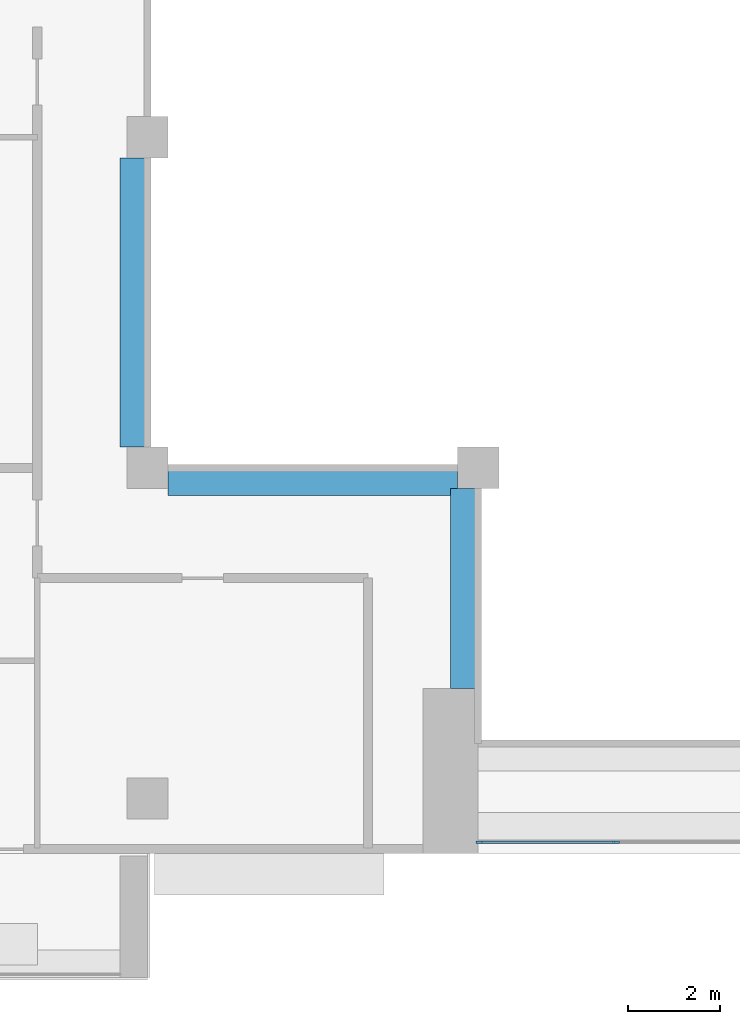
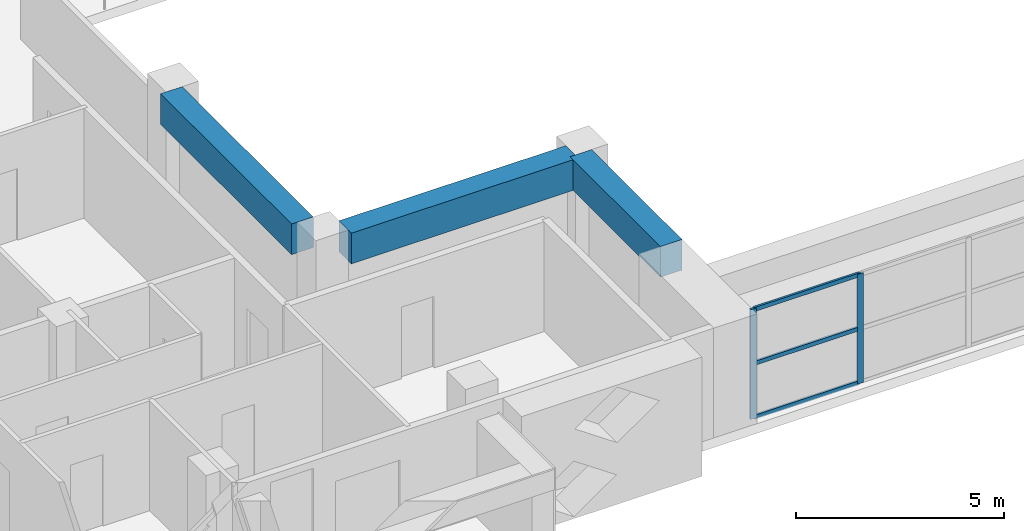
# One storey, part 2 of 19: 5 members, 3 beams, 1 element without a shape of its own.
"""IFC4 building model written with IfcOpenShell, lengths in metres."""

from ifc_helpers import new_model, si_unit, direction, frame, origin, origin_2d, place, context, subcontext, project, spatial, rectangle, extrude, source, transform, mapped, material, layer, layer_set, material_profile, profile_set, type_object, element, aggregate, save


model = new_model("IFC4")

# Units and contexts
model_context = context("Model", 3, precision=1e-05, world=origin(), true_north=direction((0.0, 1.0)))
body_context = subcontext(model_context, "Body", "Model", "MODEL_VIEW")
ifc_project = project(units=[si_unit("LENGTHUNIT", "METRE"), si_unit("AREAUNIT", "SQUARE_METRE"), si_unit("VOLUMEUNIT", "CUBIC_METRE"), si_unit("PLANEANGLEUNIT", "RADIAN"), si_unit("MASSUNIT", "GRAM", prefix="KILO")], contexts=[model_context])

# Site, building, storey
site_placement = place(None, origin())
site = spatial("IfcSite", under=ifc_project, at=site_placement, CompositionType="ELEMENT")
building_placement = place(site_placement, origin())
building = spatial("IfcBuilding", under=site, at=building_placement, Name="Saffron Iwan Residences", CompositionType="ELEMENT")
storey_placement = place(building_placement, frame((0.0, 0.0, 222.0)))
storey = spatial("IfcBuildingStorey", under=building, at=storey_placement, Name="L59", CompositionType="ELEMENT", Elevation=222.0)

# Beams
ifc_material_1 = material(Name="Concrete C40/50", Category="concrete")
ifc_material_profile_1 = material_profile(ifc_material_1, rectangle(XDim=0.60009765625, YDim=0.89990234375, at=origin_2d()), Name="RC 600x900")
ifc_profile_set_1 = profile_set([ifc_material_profile_1], Name="Concrete C40/50")
beam_type = type_object("IfcBeamType", Name="BEAM RC 600x900 C40/50 TOP 3220", PredefinedType="BEAM", material=ifc_profile_set_1)
shared_shape_1 = source(origin(), body_context, "Body", "SweptSolid", [
    extrude(rectangle(XDim=0.60009765625, YDim=0.89990234375, at=origin_2d()), origin(), (0.0, 0.0, 1.0), 4.35009765625),
])
beam_placement = place(storey_placement, frame((42.89990234375, 43.199951171875, 2.77001953125), z_axis=(0.0, 1.0, 0.0), x_axis=(-1.0, 0.0, 0.0)))
element("IfcBeam", 1, at=beam_placement, inside=storey, type_object=beam_type, Name="Atrium edge beam", PredefinedType="BEAM", context=body_context, shape_type="MappedRepresentation", body=[
    mapped(shared_shape_1, transform((0.0, 0.0, 0.0))),
])
shared_shape_2 = source(origin(), body_context, "Body", "SweptSolid", [
    extrude(rectangle(XDim=0.60009765625, YDim=0.89990234375, at=origin_2d()), origin(), (0.0, 0.0, 1.0), 6.300048828125),
])
for number, where, z_axis, x_axis, name in (
    (2, (42.75, 47.699951171875, 2.77001953125), (-1.0, 0.0, 0.0), (0.0, -1.0, 0.0), "Atrium edge beam"),
    (3, (35.699951171875, 48.449951171875, 2.77001953125), (0.0, 1.0, 0.0), (-1.0, 0.0, 0.0), "Atrium edge beam"),
):
    element("IfcBeam", number, at=place(storey_placement, frame(where, z_axis=z_axis, x_axis=x_axis)), inside=storey, type_object=beam_type, Name=name, PredefinedType="BEAM", context=body_context, shape_type="MappedRepresentation", body=[
        mapped(shared_shape_2, transform((0.0, 0.0, 0.0))),
    ])

# Curtain wall, members
ifc_material_2 = material(Name="Clear glass, laminated double glazed", Category="glass")
ifc_layer = layer(ifc_material_2, 0.199951171875)
ifc_layer_set = layer_set([ifc_layer], Name="Clear glass, laminated double glazed")
curtain_wall_type = type_object("IfcCurtainWallType", Name="CW-B IWAN PORTAL", PredefinedType="NOTDEFINED", material=ifc_layer_set)
curtain_wall_placement = place(storey_placement, origin())
curtain_wall = element("IfcCurtainWall", 4, at=curtain_wall_placement, inside=storey, type_object=curtain_wall_type, Name="Iwan portal glazing L59.1", PredefinedType="NOTDEFINED")
ifc_material_3 = material(Name="Aluminium 6063-T6", Category="aluminium")
ifc_material_profile_2 = material_profile(ifc_material_3, rectangle(XDim=0.06005859375, YDim=0.1201171875, at=origin_2d()), Name="CW-B TRANSOM 60 x 120")
ifc_profile_set_2 = profile_set([ifc_material_profile_2], Name="Aluminium 6063-T6")
member_type_1 = type_object("IfcMemberType", Name="CW-B TRANSOM 60 x 120", PredefinedType="USERDEFINED", material=ifc_profile_set_2)
shared_shape_3 = source(origin(), body_context, "Body", "SweptSolid", [
    extrude(rectangle(XDim=0.06005859375, YDim=0.1201171875, at=origin_2d()), origin(), (0.0, 0.0, 1.0), 2.909912109375),
])
member_1_placement = place(storey_placement, frame((43.260009765625, 39.85009765625, 0.030029296875), z_axis=(1.0, 0.0, 0.0), x_axis=(0.0, 1.0, 0.0)))
member_1 = element("IfcMember", 5, at=member_1_placement, type_object=member_type_1, Name="CW-B transom 1.1", ObjectType="TRANSOM", PredefinedType="USERDEFINED", context=body_context, shape_type="MappedRepresentation", body=[
    mapped(shared_shape_3, transform((0.0, 0.0, 0.0))),
])
member_2_placement = place(storey_placement, frame((43.260009765625, 39.85009765625, 1.610107421875), z_axis=(1.0, 0.0, 0.0), x_axis=(0.0, 1.0, 0.0)))
member_2 = element("IfcMember", 6, at=member_2_placement, type_object=member_type_1, Name="CW-B transom 1.2", ObjectType="TRANSOM", PredefinedType="USERDEFINED", context=body_context, shape_type="MappedRepresentation", body=[
    mapped(shared_shape_3, transform((0.0, 0.0, 0.0))),
])
member_3_placement = place(storey_placement, frame((43.260009765625, 39.85009765625, 3.18994140625), z_axis=(1.0, 0.0, 0.0), x_axis=(0.0, 1.0, 0.0)))
member_3 = element("IfcMember", 7, at=member_3_placement, type_object=member_type_1, Name="CW-B transom 1.3", ObjectType="TRANSOM", PredefinedType="USERDEFINED", context=body_context, shape_type="MappedRepresentation", body=[
    mapped(shared_shape_3, transform((0.0, 0.0, 0.0))),
])
ifc_material_profile_3 = material_profile(ifc_material_3, rectangle(XDim=0.06005859375, YDim=0.159912109375, at=origin_2d()), Name="CW-B MULLION 60 x 160")
ifc_profile_set_3 = profile_set([ifc_material_profile_3], Name="Aluminium 6063-T6")
member_type_2 = type_object("IfcMemberType", Name="CW-B MULLION 60 x 160", PredefinedType="MULLION", material=ifc_profile_set_3)
shared_shape_4 = source(origin(), body_context, "Body", "SweptSolid", [
    extrude(rectangle(XDim=0.06005859375, YDim=0.159912109375, at=origin_2d()), origin(), (0.0, 0.0, 1.0), 3.219970703125),
])
member_4_placement = place(storey_placement, frame((43.22998046875, 39.85009765625, 0.0), z_axis=(0.0, 0.0, 1.0), x_axis=(0.0, 1.0, 0.0)))
member_4 = element("IfcMember", 8, at=member_4_placement, type_object=member_type_2, Name="CW-B mullion 1", PredefinedType="MULLION", context=body_context, shape_type="MappedRepresentation", body=[
    mapped(shared_shape_4, transform((0.0, 0.0, 0.0))),
])
member_5_placement = place(storey_placement, frame((46.199951171875, 39.85009765625, 0.0), z_axis=(0.0, 0.0, 1.0), x_axis=(0.0, 1.0, 0.0)))
member_5 = element("IfcMember", 9, at=member_5_placement, type_object=member_type_2, Name="CW-B mullion 2", PredefinedType="MULLION", context=body_context, shape_type="MappedRepresentation", body=[
    mapped(shared_shape_4, transform((0.0, 0.0, 0.0))),
])
aggregate(curtain_wall, [member_4, member_5, member_1, member_2, member_3])

save(model, "model.ifc")
